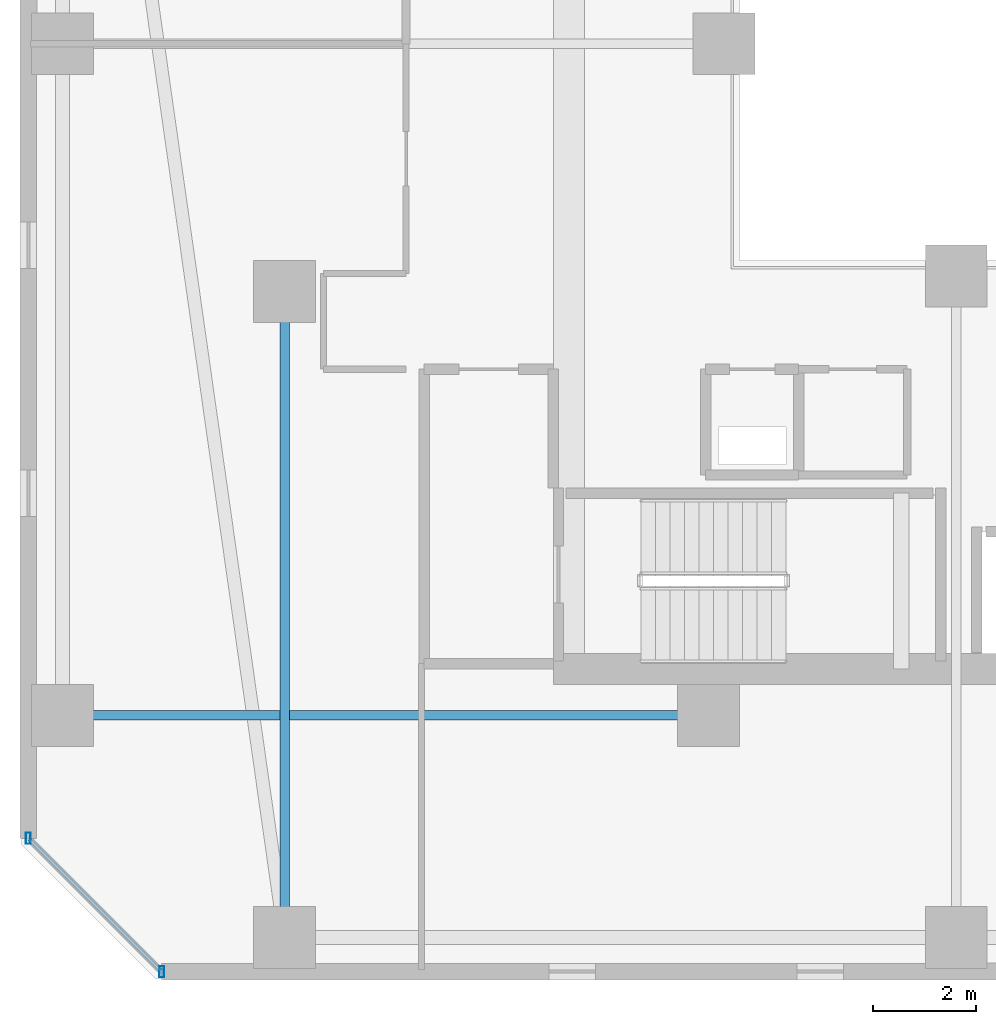
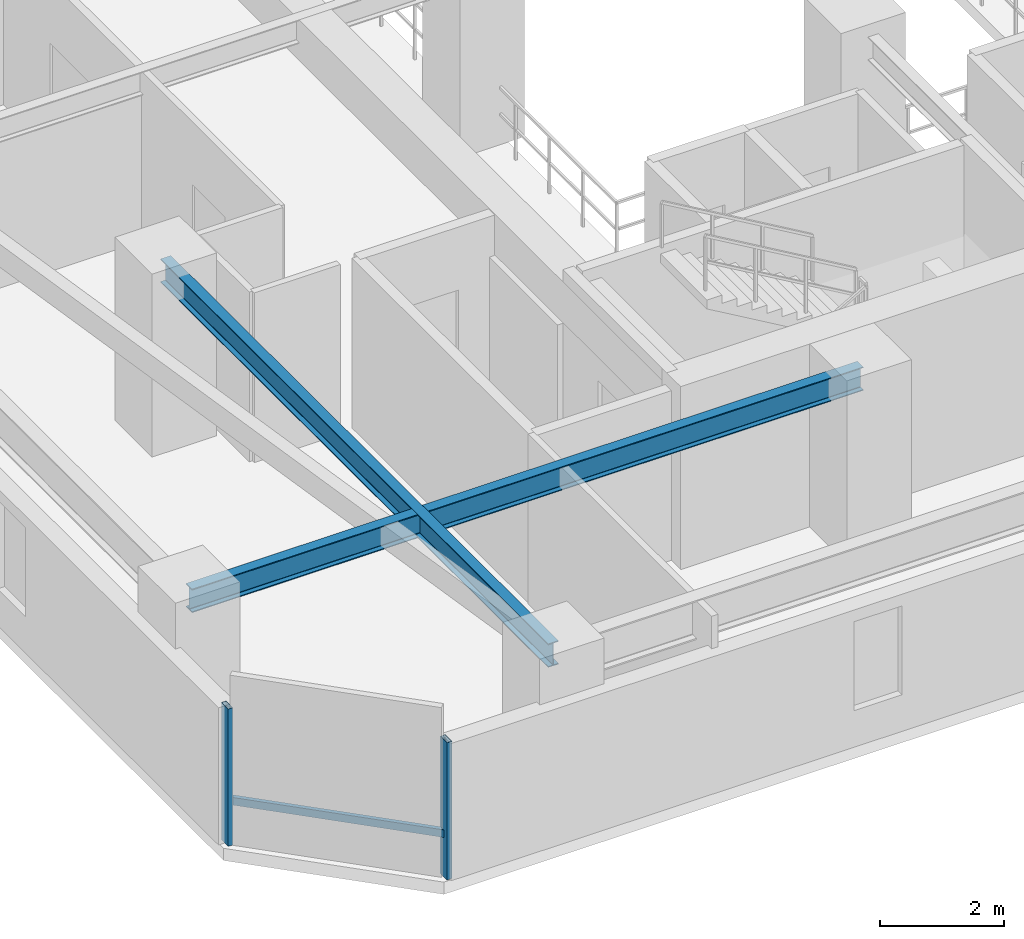
# One storey, part 3 of 29: 3 members, 2 beams, 1 element without a shape of its own.
"""IFC4 building model written with IfcOpenShell, lengths in metres."""

from ifc_helpers import new_model, si_unit, direction, frame, origin, origin_2d, place, context, subcontext, project, spatial, hollow_rectangle, i_section, extrude, material, material_profile, profile_set, type_object, element, aggregate, save


model = new_model("IFC4")

# Units and contexts
model_context = context("Model", 3, precision=1e-05, world=origin(), true_north=direction((0.0, 1.0)))
body_context = subcontext(model_context, "Body", "Model", "MODEL_VIEW")
ifc_project = project(units=[si_unit("LENGTHUNIT", "METRE"), si_unit("AREAUNIT", "SQUARE_METRE"), si_unit("VOLUMEUNIT", "CUBIC_METRE"), si_unit("PLANEANGLEUNIT", "RADIAN"), si_unit("MASSUNIT", "GRAM", prefix="KILO")], contexts=[model_context])

# Site, building, storey
site_placement = place(None, origin())
site = spatial("IfcSite", under=ifc_project, at=site_placement, CompositionType="ELEMENT")
building_placement = place(site_placement, origin())
building = spatial("IfcBuilding", under=site, at=building_placement, Name="Thornwick Lancets Civic Towers", CompositionType="ELEMENT")
storey_placement = place(building_placement, frame((0.0, 0.0, 83.699951171875)))
storey = spatial("IfcBuildingStorey", under=building, at=storey_placement, Name="L21", CompositionType="ELEMENT", Elevation=83.699951171875)

# Beams
ifc_material_1 = material(Name="Steel S355JR", Category="steel")
ifc_material_profile_1 = material_profile(ifc_material_1, i_section(OverallWidth=0.19189453125, OverallDepth=0.46337890625, WebThickness=0.010498046875, FlangeThickness=0.017578125, FilletRadius=0.01025390625, at=origin_2d()), Name="UKB 457x191x89")
ifc_profile_set_1 = profile_set([ifc_material_profile_1], Name="Steel S355JR")
beam_type = type_object("IfcBeamType", Name="BM_JOIST_457_89", PredefinedType="JOIST", material=ifc_profile_set_1)
for number, where, z_axis, x_axis, name in (
    (1, (12.5, 22.199951171875, 3.12841796875), (0.0, -1.0, 0.0), (1.0, 0.0, 0.0), "BM-RADIN-L21-A01"),
    (2, (20.699951171875, 14.0, 3.12841796875), (-1.0, 0.0, 0.0), (0.0, -1.0, 0.0), "BM-RADIN-L21-A10"),
):
    element("IfcBeam", number, at=place(storey_placement, frame(where, z_axis=z_axis, x_axis=x_axis)), inside=storey, type_object=beam_type, Name=name, PredefinedType="JOIST", context=body_context, shape_type="SweptSolid", body=[
        extrude(i_section(OverallWidth=0.19189453125, OverallDepth=0.46337890625, WebThickness=0.010498046875, FlangeThickness=0.017578125, FilletRadius=0.01025390625, at=origin_2d()), origin(), (0.0, 0.0, 1.0), 12.5),
    ])

# Curtain wall, members
ifc_material_2 = material(Name="Low-zone chamfered-corner unitised glass curtain wall", Category="glass")
curtain_wall_type = type_object("IfcCurtainWallType", Name="CW_SYS_03", PredefinedType="NOTDEFINED", material=ifc_material_2)
curtain_wall_placement = place(storey_placement, origin())
curtain_wall = element("IfcCurtainWall", 3, at=curtain_wall_placement, inside=storey, type_object=curtain_wall_type, Name="L21 Curtain Wall CW-L21-A-E7", PredefinedType="NOTDEFINED")
ifc_material_3 = material(Name="Thermally broken bronze aluminium S355", Category="steel")
ifc_material_profile_2 = material_profile(ifc_material_3, hollow_rectangle(XDim=0.090087890625, YDim=0.219970703125, WallThickness=0.00634765625, at=origin_2d()), Name="RHS 220x90x6.3")
ifc_profile_set_2 = profile_set([ifc_material_profile_2], Name="Thermally broken bronze aluminium S355")
member_type_1 = type_object("IfcMemberType", Name="CW_MUL_220", PredefinedType="MULLION", material=ifc_profile_set_2)
member_1_placement = place(storey_placement, frame((7.535400390625, 11.61865234375, 0.0), z_axis=(0.0, 0.0, 1.0), x_axis=(1.0, 0.0, 0.0)))
member_1 = element("IfcMember", 4, at=member_1_placement, type_object=member_type_1, Name="CW-L21-A-E7 Mullion 0", PredefinedType="MULLION", context=body_context, shape_type="SweptSolid", body=[
    extrude(hollow_rectangle(XDim=0.090087890625, YDim=0.219970703125, WallThickness=0.00634765625, at=origin_2d()), origin(), (0.0, 0.0, 1.0), 2.699951171875),
])
member_2_placement = place(storey_placement, frame((10.11865234375, 9.035400390625, 0.0), z_axis=(0.0, 0.0, 1.0), x_axis=(1.0, 0.0, 0.0)))
member_2 = element("IfcMember", 5, at=member_2_placement, type_object=member_type_1, Name="CW-L21-A-E7 Mullion 1", PredefinedType="MULLION", context=body_context, shape_type="SweptSolid", body=[
    extrude(hollow_rectangle(XDim=0.090087890625, YDim=0.219970703125, WallThickness=0.00634765625, at=origin_2d()), origin(), (0.0, 0.0, 1.0), 2.699951171875),
])
ifc_material_profile_3 = material_profile(ifc_material_3, hollow_rectangle(XDim=0.074951171875, YDim=0.14990234375, WallThickness=0.0048828125, at=origin_2d()), Name="RHS 150x75x5")
ifc_profile_set_3 = profile_set([ifc_material_profile_3], Name="Thermally broken bronze aluminium S355")
member_type_2 = type_object("IfcMemberType", Name="CW_TRN_150", PredefinedType="USERDEFINED", material=ifc_profile_set_3)
member_3_placement = place(storey_placement, frame((7.54931640625, 11.6044921875, 0.85009765625), z_axis=(0.707106781187, -0.707106781187, 0.0), x_axis=(0.707106781187, 0.707106781187, 0.0)))
member_3 = element("IfcMember", 6, at=member_3_placement, type_object=member_type_2, Name="CW-L21-A-E7 Transom 0", ObjectType="TRANSOM", PredefinedType="USERDEFINED", context=body_context, shape_type="SweptSolid", body=[
    extrude(hollow_rectangle(XDim=0.074951171875, YDim=0.14990234375, WallThickness=0.0048828125, at=origin_2d()), origin(), (0.0, 0.0, 1.0), 3.613525390625),
])
aggregate(curtain_wall, [member_1, member_2, member_3])

save(model, "model.ifc")
